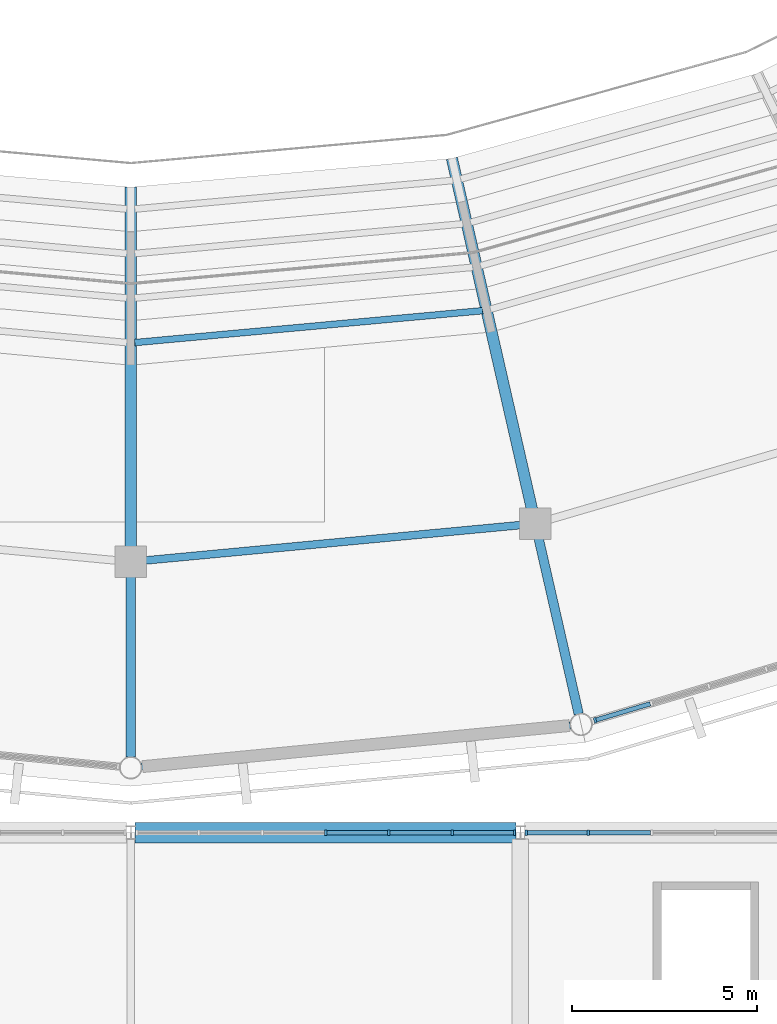
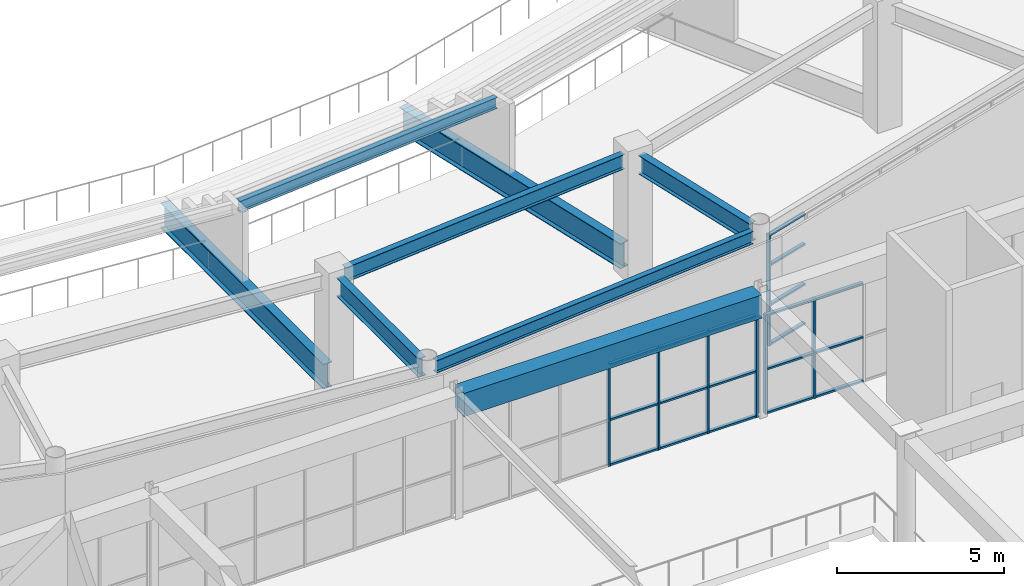
# One storey, part 34 of 122: 26 members, 8 beams, 3 elements without a shape of their own.
"""IFC4 building model written with IfcOpenShell, lengths in metres."""

from ifc_helpers import new_model, si_unit, direction, frame, origin, origin_2d, place, context, subcontext, project, spatial, rectangle, i_section, extrude, material, material_profile, profile_set, type_object, element, aggregate, save


model = new_model("IFC4")

# Units and contexts
model_context = context("Model", 3, precision=1e-05, world=origin(), true_north=direction((0.0, 1.0)))
body_context = subcontext(model_context, "Body", "Model", "MODEL_VIEW")
ifc_project = project(units=[si_unit("LENGTHUNIT", "METRE"), si_unit("AREAUNIT", "SQUARE_METRE"), si_unit("VOLUMEUNIT", "CUBIC_METRE"), si_unit("PLANEANGLEUNIT", "RADIAN"), si_unit("MASSUNIT", "GRAM", prefix="KILO")], contexts=[model_context])

# Site, building, storey
site_placement = place(None, origin())
site = spatial("IfcSite", under=ifc_project, at=site_placement, CompositionType="ELEMENT")
building_placement = place(site_placement, origin())
building = spatial("IfcBuilding", under=site, at=building_placement, Name="Cuetzalor Civic Arena", CompositionType="ELEMENT")
storey_placement = place(building_placement, frame((0.0, 0.0, 16.199951171875)))
storey = spatial("IfcBuildingStorey", under=building, at=storey_placement, Name="L03", CompositionType="ELEMENT", Elevation=16.199951171875)

# Beam
ifc_material_1 = material(Name="Concrete C40/50", Category="concrete")
ifc_material_profile_1 = material_profile(ifc_material_1, rectangle(XDim=0.550048828125, YDim=0.85009765625, at=origin_2d()), Name="RC 550x850")
ifc_profile_set_1 = profile_set([ifc_material_profile_1], Name="Concrete C40/50")
beam_type_1 = type_object("IfcBeamType", Name="ConcreteFrameBeam_550x850", PredefinedType="BEAM", material=ifc_profile_set_1)
beam_1_placement = place(storey_placement, frame((0.118408203125, -48.300048828125, 4.155029296875), z_axis=(1.0, 0.0, 0.0), x_axis=(0.0, 1.0, 0.0)))
element("IfcBeam", 1, at=beam_1_placement, inside=storey, type_object=beam_type_1, Name="Frame Girder V3-L03-X0867", PredefinedType="BEAM", context=body_context, shape_type="SweptSolid", body=[
    extrude(rectangle(XDim=0.550048828125, YDim=0.85009765625, at=origin_2d()), origin(), (0.0, 0.0, 1.0), 10.26318359375),
])

# Curtain wall, member
ifc_material_2 = material(Name="Anodised dark bronze aluminium and low-E solar glass", Category="aluminium")
curtain_wall_type_1 = type_object("IfcCurtainWallType", Name="UnitisedCW_11300x4050", PredefinedType="USERDEFINED", material=ifc_material_2)
curtain_wall_1_placement = place(storey_placement, origin())
curtain_wall_1 = element("IfcCurtainWall", 2, at=curtain_wall_1_placement, inside=storey, type_object=curtain_wall_type_1, Name="Drum Triangle Foyer Curtain Wall L03-054", ObjectType="UNITISED CURTAIN WALL", PredefinedType="USERDEFINED")
ifc_material_3 = material(Name="Anodised dark bronze aluminium", Category="aluminium")
ifc_material_profile_2 = material_profile(ifc_material_3, rectangle(XDim=0.06494140625, YDim=0.14990234375, at=origin_2d()), Name="ALU MULLION 65x150")
ifc_profile_set_2 = profile_set([ifc_material_profile_2], Name="Anodised dark bronze aluminium")
member_type_1 = type_object("IfcMemberType", Name="CurtainWallMullion_60x150", PredefinedType="MULLION", material=ifc_profile_set_2)
member_1_placement = place(storey_placement, frame((12.51611328125, -45.270263671875, 0.0), z_axis=(0.0, 0.0, 1.0), x_axis=(-0.958193690548, -0.286120344251, 0.0)))
member_1 = element("IfcMember", 3, at=member_1_placement, type_object=member_type_1, Name="CW-15 mullion 8", PredefinedType="MULLION", context=body_context, shape_type="SweptSolid", body=[
    extrude(rectangle(XDim=0.06494140625, YDim=0.14990234375, at=origin_2d()), origin(), (0.0, 0.0, 1.0), 4.052978515625),
])

# Curtain wall, members
ifc_material_4 = material(Name="Anodised dark bronze aluminium and low-E solar glass", Category="aluminium")
curtain_wall_type_2 = type_object("IfcCurtainWallType", Name="StickCW_10250x3700", PredefinedType="USERDEFINED", material=ifc_material_4)
curtain_wall_2_placement = place(storey_placement, origin())
curtain_wall_2 = element("IfcCurtainWall", 4, at=curtain_wall_2_placement, inside=storey, type_object=curtain_wall_type_2, Name="Foyer North Clerestory Curtain Wall L03-098", ObjectType="STICK CURTAIN WALL", PredefinedType="USERDEFINED")
member_2_placement = place(storey_placement, frame((5.25, -48.300048828125, 0.0), z_axis=(0.0, 0.0, 1.0), x_axis=(1.0, 0.0, 0.0)))
member_2 = element("IfcMember", 5, at=member_2_placement, type_object=member_type_1, Name="CW-30 mullion 4", PredefinedType="MULLION", context=body_context, shape_type="SweptSolid", body=[
    extrude(rectangle(XDim=0.06494140625, YDim=0.14990234375, at=origin_2d()), origin(), (0.0, 0.0, 1.0), 3.719970703125),
])
member_3_placement = place(storey_placement, frame((6.95849609375, -48.300048828125, 0.0), z_axis=(0.0, 0.0, 1.0), x_axis=(1.0, 0.0, 0.0)))
member_3 = element("IfcMember", 6, at=member_3_placement, type_object=member_type_1, Name="CW-30 mullion 5", PredefinedType="MULLION", context=body_context, shape_type="SweptSolid", body=[
    extrude(rectangle(XDim=0.06494140625, YDim=0.14990234375, at=origin_2d()), origin(), (0.0, 0.0, 1.0), 3.719970703125),
])
member_4_placement = place(storey_placement, frame((8.6669921875, -48.300048828125, 0.0), z_axis=(0.0, 0.0, 1.0), x_axis=(1.0, 0.0, 0.0)))
member_4 = element("IfcMember", 7, at=member_4_placement, type_object=member_type_1, Name="CW-30 mullion 6", PredefinedType="MULLION", context=body_context, shape_type="SweptSolid", body=[
    extrude(rectangle(XDim=0.06494140625, YDim=0.14990234375, at=origin_2d()), origin(), (0.0, 0.0, 1.0), 3.719970703125),
])
member_5_placement = place(storey_placement, frame((10.343017578125, -48.300048828125, 0.0), z_axis=(0.0, 0.0, 1.0), x_axis=(1.0, 0.0, 0.0)))
member_5 = element("IfcMember", 8, at=member_5_placement, type_object=member_type_1, Name="CW-30 mullion 7", PredefinedType="MULLION", context=body_context, shape_type="SweptSolid", body=[
    extrude(rectangle(XDim=0.06494140625, YDim=0.14990234375, at=origin_2d()), origin(), (0.0, 0.0, 1.0), 3.719970703125),
])

ifc_material_5 = material(Name="Anodised dark bronze aluminium and low-E solar glass", Category="aluminium")
curtain_wall_type_3 = type_object("IfcCurtainWallType", Name="StickCW_10250x3600", PredefinedType="USERDEFINED", material=ifc_material_5)
curtain_wall_3_placement = place(storey_placement, origin())
curtain_wall_3 = element("IfcCurtainWall", 9, at=curtain_wall_3_placement, inside=storey, type_object=curtain_wall_type_3, Name="Foyer North Clerestory Curtain Wall L03-100", ObjectType="STICK CURTAIN WALL", PredefinedType="USERDEFINED")
member_6_placement = place(storey_placement, frame((10.656982421875, -48.300048828125, 0.0), z_axis=(0.0, 0.0, 1.0), x_axis=(1.0, 0.0, 0.0)))
member_6 = element("IfcMember", 10, at=member_6_placement, type_object=member_type_1, Name="CW-29 mullion 1", PredefinedType="MULLION", context=body_context, shape_type="SweptSolid", body=[
    extrude(rectangle(XDim=0.06494140625, YDim=0.14990234375, at=origin_2d()), origin(), (0.0, 0.0, 1.0), 3.6201171875),
])
member_7_placement = place(storey_placement, frame((12.3330078125, -48.300048828125, 0.0), z_axis=(0.0, 0.0, 1.0), x_axis=(1.0, 0.0, 0.0)))
member_7 = element("IfcMember", 11, at=member_7_placement, type_object=member_type_1, Name="CW-29 mullion 2", PredefinedType="MULLION", context=body_context, shape_type="SweptSolid", body=[
    extrude(rectangle(XDim=0.06494140625, YDim=0.14990234375, at=origin_2d()), origin(), (0.0, 0.0, 1.0), 3.6201171875),
])

# Member
ifc_material_6 = material(Name="Anodised dark bronze aluminium", Category="aluminium")
ifc_material_profile_3 = material_profile(ifc_material_6, rectangle(XDim=0.1201171875, YDim=0.06494140625, at=origin_2d()), Name="ALU TRANSOM 65x120")
ifc_profile_set_3 = profile_set([ifc_material_profile_3], Name="Anodised dark bronze aluminium")
member_type_2 = type_object("IfcMemberType", Name="CurtainWallTransom_60x120", PredefinedType="USERDEFINED", material=ifc_profile_set_3)
member_8_placement = place(storey_placement, frame((14.001953125, -44.826416015625, 0.032470703125), z_axis=(-0.958166375169, -0.286211805303, 0.0), x_axis=(0.286211805303, -0.958166375169, 0.0)))
member_8 = element("IfcMember", 12, at=member_8_placement, type_object=member_type_2, Name="CW-15 transom 7.1", ObjectType="TRANSOM", PredefinedType="USERDEFINED", context=body_context, shape_type="SweptSolid", body=[
    extrude(rectangle(XDim=0.1201171875, YDim=0.06494140625, at=origin_2d()), origin(), (0.0, 0.0, 1.0), 1.518310546875),
])

member_9_placement = place(storey_placement, frame((14.001953125, -44.826416015625, 1.458984375), z_axis=(-0.958166375169, -0.286211805303, 0.0), x_axis=(0.286211805303, -0.958166375169, 0.0)))
member_9 = element("IfcMember", 13, at=member_9_placement, type_object=member_type_2, Name="CW-15 transom 7.2", ObjectType="TRANSOM", PredefinedType="USERDEFINED", context=body_context, shape_type="SweptSolid", body=[
    extrude(rectangle(XDim=0.1201171875, YDim=0.06494140625, at=origin_2d()), origin(), (0.0, 0.0, 1.0), 1.518310546875),
])

member_10_placement = place(storey_placement, frame((14.001953125, -44.826416015625, 2.91796875), z_axis=(-0.958166375169, -0.286211805303, 0.0), x_axis=(0.286211805303, -0.958166375169, 0.0)))
member_10 = element("IfcMember", 14, at=member_10_placement, type_object=member_type_2, Name="CW-15 transom 7.3", ObjectType="TRANSOM", PredefinedType="USERDEFINED", context=body_context, shape_type="SweptSolid", body=[
    extrude(rectangle(XDim=0.1201171875, YDim=0.06494140625, at=origin_2d()), origin(), (0.0, 0.0, 1.0), 1.518310546875),
])

member_11_placement = place(storey_placement, frame((14.001953125, -44.826416015625, 4.0205078125), z_axis=(-0.958166375169, -0.286211805303, 0.0), x_axis=(0.286211805303, -0.958166375169, 0.0)))
member_11 = element("IfcMember", 15, at=member_11_placement, type_object=member_type_2, Name="CW-15 transom 7.4", ObjectType="TRANSOM", PredefinedType="USERDEFINED", context=body_context, shape_type="SweptSolid", body=[
    extrude(rectangle(XDim=0.1201171875, YDim=0.06494140625, at=origin_2d()), origin(), (0.0, 0.0, 1.0), 1.518310546875),
])

aggregate(curtain_wall_1, [member_1, member_8, member_9, member_10, member_11])

member_12_placement = place(storey_placement, frame((5.282470703125, -48.300048828125, 0.032470703125), z_axis=(1.0, 0.0, 0.0), x_axis=(0.0, 1.0, 0.0)))
member_12 = element("IfcMember", 16, at=member_12_placement, type_object=member_type_2, Name="CW-30 transom 4.1", ObjectType="TRANSOM", PredefinedType="USERDEFINED", context=body_context, shape_type="SweptSolid", body=[
    extrude(rectangle(XDim=0.1201171875, YDim=0.06494140625, at=origin_2d()), origin(), (0.0, 0.0, 1.0), 1.6435546875),
])

member_13_placement = place(storey_placement, frame((5.282470703125, -48.300048828125, 1.674072265625), z_axis=(1.0, 0.0, 0.0), x_axis=(0.0, 1.0, 0.0)))
member_13 = element("IfcMember", 17, at=member_13_placement, type_object=member_type_2, Name="CW-30 transom 4.2", ObjectType="TRANSOM", PredefinedType="USERDEFINED", context=body_context, shape_type="SweptSolid", body=[
    extrude(rectangle(XDim=0.1201171875, YDim=0.06494140625, at=origin_2d()), origin(), (0.0, 0.0, 1.0), 1.6435546875),
])

member_14_placement = place(storey_placement, frame((5.282470703125, -48.300048828125, 3.6875), z_axis=(1.0, 0.0, 0.0), x_axis=(0.0, 1.0, 0.0)))
member_14 = element("IfcMember", 18, at=member_14_placement, type_object=member_type_2, Name="CW-30 transom 4.3", ObjectType="TRANSOM", PredefinedType="USERDEFINED", context=body_context, shape_type="SweptSolid", body=[
    extrude(rectangle(XDim=0.1201171875, YDim=0.06494140625, at=origin_2d()), origin(), (0.0, 0.0, 1.0), 1.6435546875),
])

member_15_placement = place(storey_placement, frame((6.990966796875, -48.300048828125, 0.032470703125), z_axis=(1.0, 0.0, 0.0), x_axis=(0.0, 1.0, 0.0)))
member_15 = element("IfcMember", 19, at=member_15_placement, type_object=member_type_2, Name="CW-30 transom 5.1", ObjectType="TRANSOM", PredefinedType="USERDEFINED", context=body_context, shape_type="SweptSolid", body=[
    extrude(rectangle(XDim=0.1201171875, YDim=0.06494140625, at=origin_2d()), origin(), (0.0, 0.0, 1.0), 1.6435546875),
])

member_16_placement = place(storey_placement, frame((6.990966796875, -48.300048828125, 1.674072265625), z_axis=(1.0, 0.0, 0.0), x_axis=(0.0, 1.0, 0.0)))
member_16 = element("IfcMember", 20, at=member_16_placement, type_object=member_type_2, Name="CW-30 transom 5.2", ObjectType="TRANSOM", PredefinedType="USERDEFINED", context=body_context, shape_type="SweptSolid", body=[
    extrude(rectangle(XDim=0.1201171875, YDim=0.06494140625, at=origin_2d()), origin(), (0.0, 0.0, 1.0), 1.6435546875),
])

member_17_placement = place(storey_placement, frame((6.990966796875, -48.300048828125, 3.6875), z_axis=(1.0, 0.0, 0.0), x_axis=(0.0, 1.0, 0.0)))
member_17 = element("IfcMember", 21, at=member_17_placement, type_object=member_type_2, Name="CW-30 transom 5.3", ObjectType="TRANSOM", PredefinedType="USERDEFINED", context=body_context, shape_type="SweptSolid", body=[
    extrude(rectangle(XDim=0.1201171875, YDim=0.06494140625, at=origin_2d()), origin(), (0.0, 0.0, 1.0), 1.6435546875),
])

member_18_placement = place(storey_placement, frame((8.699462890625, -48.300048828125, 0.032470703125), z_axis=(1.0, 0.0, 0.0), x_axis=(0.0, 1.0, 0.0)))
member_18 = element("IfcMember", 22, at=member_18_placement, type_object=member_type_2, Name="CW-30 transom 6.1", ObjectType="TRANSOM", PredefinedType="USERDEFINED", context=body_context, shape_type="SweptSolid", body=[
    extrude(rectangle(XDim=0.1201171875, YDim=0.06494140625, at=origin_2d()), origin(), (0.0, 0.0, 1.0), 1.611083984375),
])

member_19_placement = place(storey_placement, frame((8.699462890625, -48.300048828125, 1.674072265625), z_axis=(1.0, 0.0, 0.0), x_axis=(0.0, 1.0, 0.0)))
member_19 = element("IfcMember", 23, at=member_19_placement, type_object=member_type_2, Name="CW-30 transom 6.2", ObjectType="TRANSOM", PredefinedType="USERDEFINED", context=body_context, shape_type="SweptSolid", body=[
    extrude(rectangle(XDim=0.1201171875, YDim=0.06494140625, at=origin_2d()), origin(), (0.0, 0.0, 1.0), 1.611083984375),
])

member_20_placement = place(storey_placement, frame((8.699462890625, -48.300048828125, 3.6875), z_axis=(1.0, 0.0, 0.0), x_axis=(0.0, 1.0, 0.0)))
member_20 = element("IfcMember", 24, at=member_20_placement, type_object=member_type_2, Name="CW-30 transom 6.3", ObjectType="TRANSOM", PredefinedType="USERDEFINED", context=body_context, shape_type="SweptSolid", body=[
    extrude(rectangle(XDim=0.1201171875, YDim=0.06494140625, at=origin_2d()), origin(), (0.0, 0.0, 1.0), 1.611083984375),
])

aggregate(curtain_wall_2, [member_2, member_3, member_4, member_5, member_12, member_13, member_14, member_15, member_16, member_17, member_18, member_19, member_20])

member_21_placement = place(storey_placement, frame((10.689453125, -48.300048828125, 0.032470703125), z_axis=(1.0, 0.0, 0.0), x_axis=(0.0, 1.0, 0.0)))
member_21 = element("IfcMember", 25, at=member_21_placement, type_object=member_type_2, Name="CW-29 transom 1.1", ObjectType="TRANSOM", PredefinedType="USERDEFINED", context=body_context, shape_type="SweptSolid", body=[
    extrude(rectangle(XDim=0.1201171875, YDim=0.06494140625, at=origin_2d()), origin(), (0.0, 0.0, 1.0), 1.611083984375),
])

member_22_placement = place(storey_placement, frame((10.689453125, -48.300048828125, 1.629150390625), z_axis=(1.0, 0.0, 0.0), x_axis=(0.0, 1.0, 0.0)))
member_22 = element("IfcMember", 26, at=member_22_placement, type_object=member_type_2, Name="CW-29 transom 1.2", ObjectType="TRANSOM", PredefinedType="USERDEFINED", context=body_context, shape_type="SweptSolid", body=[
    extrude(rectangle(XDim=0.1201171875, YDim=0.06494140625, at=origin_2d()), origin(), (0.0, 0.0, 1.0), 1.611083984375),
])

member_23_placement = place(storey_placement, frame((10.689453125, -48.300048828125, 3.587646484375), z_axis=(1.0, 0.0, 0.0), x_axis=(0.0, 1.0, 0.0)))
member_23 = element("IfcMember", 27, at=member_23_placement, type_object=member_type_2, Name="CW-29 transom 1.3", ObjectType="TRANSOM", PredefinedType="USERDEFINED", context=body_context, shape_type="SweptSolid", body=[
    extrude(rectangle(XDim=0.1201171875, YDim=0.06494140625, at=origin_2d()), origin(), (0.0, 0.0, 1.0), 1.611083984375),
])

member_24_placement = place(storey_placement, frame((12.365478515625, -48.300048828125, 0.032470703125), z_axis=(1.0, 0.0, 0.0), x_axis=(0.0, 1.0, 0.0)))
member_24 = element("IfcMember", 28, at=member_24_placement, type_object=member_type_2, Name="CW-29 transom 2.1", ObjectType="TRANSOM", PredefinedType="USERDEFINED", context=body_context, shape_type="SweptSolid", body=[
    extrude(rectangle(XDim=0.1201171875, YDim=0.06494140625, at=origin_2d()), origin(), (0.0, 0.0, 1.0), 1.6435546875),
])

member_25_placement = place(storey_placement, frame((12.365478515625, -48.300048828125, 1.629150390625), z_axis=(1.0, 0.0, 0.0), x_axis=(0.0, 1.0, 0.0)))
member_25 = element("IfcMember", 29, at=member_25_placement, type_object=member_type_2, Name="CW-29 transom 2.2", ObjectType="TRANSOM", PredefinedType="USERDEFINED", context=body_context, shape_type="SweptSolid", body=[
    extrude(rectangle(XDim=0.1201171875, YDim=0.06494140625, at=origin_2d()), origin(), (0.0, 0.0, 1.0), 1.6435546875),
])

member_26_placement = place(storey_placement, frame((12.365478515625, -48.300048828125, 3.587646484375), z_axis=(1.0, 0.0, 0.0), x_axis=(0.0, 1.0, 0.0)))
member_26 = element("IfcMember", 30, at=member_26_placement, type_object=member_type_2, Name="CW-29 transom 2.3", ObjectType="TRANSOM", PredefinedType="USERDEFINED", context=body_context, shape_type="SweptSolid", body=[
    extrude(rectangle(XDim=0.1201171875, YDim=0.06494140625, at=origin_2d()), origin(), (0.0, 0.0, 1.0), 1.6435546875),
])

aggregate(curtain_wall_3, [member_6, member_7, member_21, member_22, member_23, member_24, member_25, member_26])

# Beams
ifc_material_7 = material(Name="Steel S355", Category="steel")
ifc_material_profile_4 = material_profile(ifc_material_7, i_section(OverallWidth=0.18994140625, OverallDepth=0.45703125, WebThickness=0.009033203125, FlangeThickness=0.014404296875, at=origin_2d()), Name="W460x74")
ifc_profile_set_4 = profile_set([ifc_material_profile_4], Name="Steel S355")
beam_type_2 = type_object("IfcBeamType", Name="FacadeSpandrelBeam_W460", PredefinedType="SPANDREL", material=ifc_profile_set_4)
beam_2_placement = place(storey_placement, frame((0.288818359375, -46.522216796875, 4.29150390625), z_axis=(0.995409568272, 0.095706799095, 0.0), x_axis=(-0.095706799095, 0.995409568272, 0.0)))
element("IfcBeam", 31, at=beam_2_placement, inside=storey, type_object=beam_type_2, Name="Drum Perimeter Spandrel L03-S22", PredefinedType="SPANDREL", context=body_context, shape_type="SweptSolid", body=[
    extrude(i_section(OverallWidth=0.18994140625, OverallDepth=0.45703125, WebThickness=0.009033203125, FlangeThickness=0.014404296875, at=origin_2d()), origin(), (0.0, 0.0, 1.0), 11.6142578125),
])
ifc_material_8 = material(Name="Steel S355", Category="steel")
ifc_material_profile_5 = material_profile(ifc_material_8, i_section(OverallWidth=0.208984375, OverallDepth=0.532958984375, WebThickness=0.01025390625, FlangeThickness=0.015625, at=origin_2d()), Name="W530x92")
ifc_profile_set_5 = profile_set([ifc_material_profile_5], Name="Steel S355")
beam_type_3 = type_object("IfcBeamType", Name="SteelCollarGirder_W530", PredefinedType="BEAM", material=ifc_profile_set_5)
beam_3_placement = place(storey_placement, frame((0.368408203125, -40.96533203125, 4.253662109375), z_axis=(0.995583045118, 0.093885037538, 0.0), x_axis=(-0.093885037538, 0.995583045118, 0.0)))
element("IfcBeam", 32, at=beam_3_placement, inside=storey, type_object=beam_type_3, Name="Drum Concourse Ring Girder L03-S22", PredefinedType="BEAM", context=body_context, shape_type="SweptSolid", body=[
    extrude(i_section(OverallWidth=0.208984375, OverallDepth=0.532958984375, WebThickness=0.01025390625, FlangeThickness=0.015625, at=origin_2d()), origin(), (0.0, 0.0, 1.0), 10.2119140625),
])
ifc_material_9 = material(Name="Steel S355", Category="steel")
ifc_material_profile_6 = material_profile(ifc_material_9, i_section(OverallWidth=0.2529296875, OverallDepth=0.677978515625, WebThickness=0.01171875, FlangeThickness=0.016357421875, at=origin_2d()), Name="W690x125")
ifc_profile_set_6 = profile_set([ifc_material_profile_6], Name="Steel S355")
beam_type_4 = type_object("IfcBeamType", Name="SteelPrimaryGirder_W690", PredefinedType="BEAM", material=ifc_profile_set_6)
for number, where, z_axis, x_axis, name in (
    (33, (0.0, -41.360107421875, 4.18115234375), (0.0, -1.0, 0.0), (1.0, 0.0, 0.0), "Drum Radial Girder L03-R22"),
    (34, (10.983642578125, -40.322998046875, 4.18115234375), (0.222519036633, -0.974928345231, 0.0), (0.974928345231, 0.222519036633, 0.0), "Drum Radial Girder L03-R23"),
):
    element("IfcBeam", number, at=place(storey_placement, frame(where, z_axis=z_axis, x_axis=x_axis)), inside=storey, type_object=beam_type_4, Name=name, PredefinedType="BEAM", context=body_context, shape_type="SweptSolid", body=[
        extrude(i_section(OverallWidth=0.2529296875, OverallDepth=0.677978515625, WebThickness=0.01171875, FlangeThickness=0.016357421875, at=origin_2d()), origin(), (0.0, 0.0, 1.0), 4.89990234375),
    ])
ifc_material_10 = material(Name="Steel S355", Category="steel")
ifc_material_profile_7 = material_profile(ifc_material_10, i_section(OverallWidth=0.177978515625, OverallDepth=0.406982421875, WebThickness=0.0078125, FlangeThickness=0.0126953125, at=origin_2d()), Name="W410x60")
ifc_profile_set_7 = profile_set([ifc_material_profile_7], Name="Steel S355")
beam_type_5 = type_object("IfcBeamType", Name="SteelSecondaryBeam_W410", PredefinedType="BEAM", material=ifc_profile_set_7)
beam_4_placement = place(storey_placement, frame((0.107421875, -35.090087890625, 3.25146484375), z_axis=(0.995818478787, 0.091354021841, 0.0), x_axis=(-0.091354021841, 0.995818478787, 0.0)))
element("IfcBeam", 35, at=beam_4_placement, inside=storey, type_object=beam_type_5, Name="Upper Bowl Tier Carrier Beam S22-R4", PredefinedType="BEAM", context=body_context, shape_type="SweptSolid", body=[
    extrude(i_section(OverallWidth=0.177978515625, OverallDepth=0.406982421875, WebThickness=0.0078125, FlangeThickness=0.0126953125, at=origin_2d()), origin(), (0.0, 0.0, 1.0), 9.4150390625),
])
ifc_material_11 = material(Name="Steel S355", Category="steel")
ifc_material_profile_8 = material_profile(ifc_material_11, i_section(OverallWidth=0.303955078125, OverallDepth=0.910888671875, WebThickness=0.015869140625, FlangeThickness=0.02392578125, at=origin_2d()), Name="W920x223")
ifc_profile_set_8 = profile_set([ifc_material_profile_8], Name="Steel S355")
beam_type_6 = type_object("IfcBeamType", Name="UpperBowlRakerBeam_W840", PredefinedType="USERDEFINED", material=ifc_profile_set_8)
beam_5_placement = place(storey_placement, frame((0.0, -30.89990234375, 0.45556640625), z_axis=(0.0, -1.0, 0.0), x_axis=(1.0, 0.0, 0.0)))
element("IfcBeam", 36, at=beam_5_placement, inside=storey, type_object=beam_type_6, Name="Upper Bowl Raker Beam R22", ObjectType="RAKER", PredefinedType="USERDEFINED", context=body_context, shape_type="SweptSolid", body=[
    extrude(i_section(OverallWidth=0.303955078125, OverallDepth=0.910888671875, WebThickness=0.015869140625, FlangeThickness=0.02392578125, at=origin_2d()), origin(), (0.0, 0.0, 1.0), 9.72021484375),
])
beam_6_placement = place(storey_placement, frame((8.656005859375, -30.125244140625, 0.45556640625), z_axis=(0.222514477125, -0.974929385889, 0.0), x_axis=(0.974929385889, 0.222514477125, 0.0)))
element("IfcBeam", 37, at=beam_6_placement, inside=storey, type_object=beam_type_6, Name="Upper Bowl Raker Beam R23", ObjectType="RAKER", PredefinedType="USERDEFINED", context=body_context, shape_type="SweptSolid", body=[
    extrude(i_section(OverallWidth=0.303955078125, OverallDepth=0.910888671875, WebThickness=0.015869140625, FlangeThickness=0.02392578125, at=origin_2d()), origin(), (0.0, 0.0, 1.0), 9.719970703125),
])

save(model, "model.ifc")
